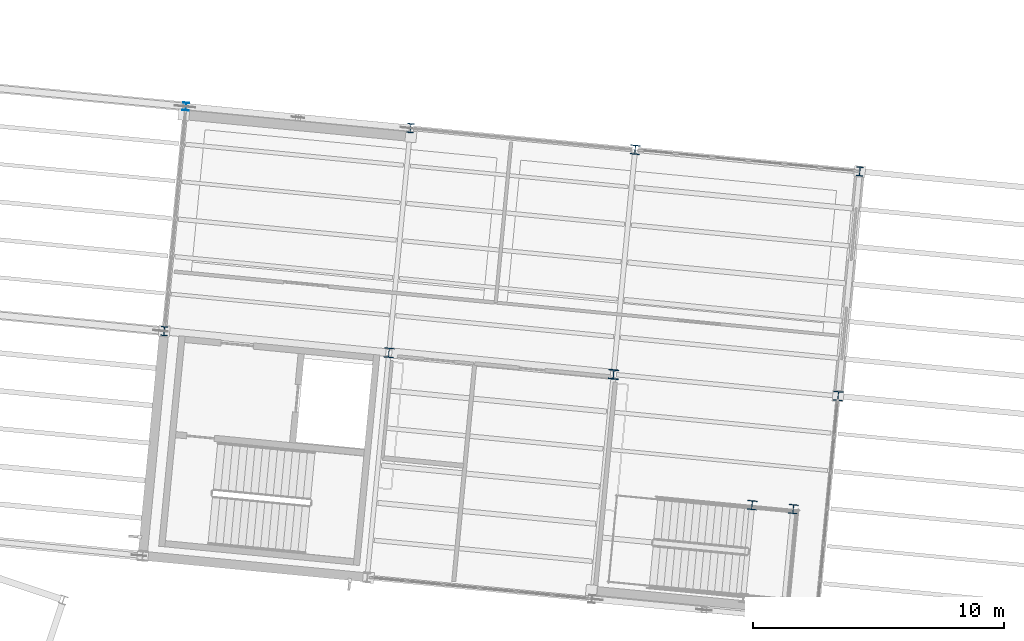
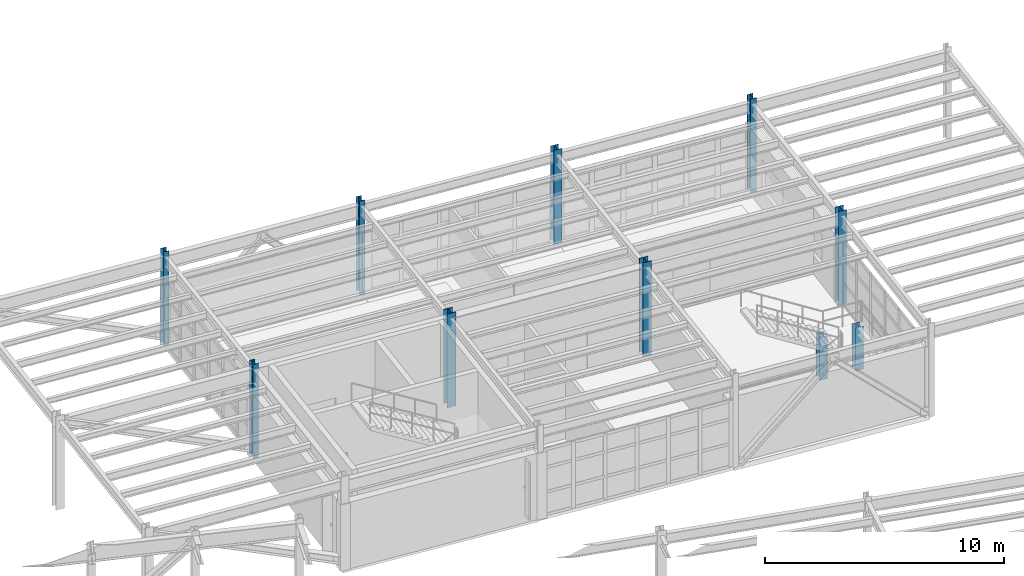
# One storey, part 14 of 109: 10 columns.
"""IFC4 building model written with IfcOpenShell, lengths in metres."""

from ifc_helpers import new_model, si_unit, direction, frame, origin, origin_2d, place, context, subcontext, project, spatial, i_section, extrude, material, material_profile, profile_set, type_object, element, save


model = new_model("IFC4")

# Units and contexts
model_context = context("Model", 3, precision=1e-05, world=origin(), true_north=direction((0.0, 1.0)))
body_context = subcontext(model_context, "Body", "Model", "MODEL_VIEW")
ifc_project = project(units=[si_unit("LENGTHUNIT", "METRE"), si_unit("AREAUNIT", "SQUARE_METRE"), si_unit("VOLUMEUNIT", "CUBIC_METRE"), si_unit("PLANEANGLEUNIT", "RADIAN"), si_unit("MASSUNIT", "GRAM", prefix="KILO")], contexts=[model_context])

# Site, building, storey
site_placement = place(None, origin())
site = spatial("IfcSite", under=ifc_project, at=site_placement, CompositionType="ELEMENT")
building_placement = place(site_placement, origin())
building = spatial("IfcBuilding", under=site, at=building_placement, Name="Vireo Bluff Cable Station", CompositionType="ELEMENT")
storey_placement = place(building_placement, frame((0.0, 0.0, 4.800048828125)))
storey = spatial("IfcBuildingStorey", under=building, at=storey_placement, Name="L01", CompositionType="ELEMENT", Elevation=4.800048828125)

# Columns
ifc_material = material(Name="Steel ASTM A992 Gr. 50", Category="steel")
ifc_material_profile_1 = material_profile(ifc_material, i_section(OverallWidth=0.39892578125, OverallDepth=0.385986328125, WebThickness=0.02099609375, FlangeThickness=0.033203125, FilletRadius=0.014892578125, at=origin_2d()), Name="W14X176")
ifc_profile_set_1 = profile_set([ifc_material_profile_1], Name="Steel ASTM A992 Gr. 50")
column_type_1 = type_object("IfcColumnType", Name="COL-W14X176", PredefinedType="COLUMN", material=ifc_profile_set_1)
column_1_placement = place(storey_placement, frame((86.517822265625, 74.2373046875, 0.0), z_axis=(0.0, 0.0, 1.0), x_axis=(0.995396198367, -0.09584575252, 0.0)))
element("IfcColumn", 1, at=column_1_placement, inside=storey, type_object=column_type_1, Name="V3 L01 column 223", PredefinedType="COLUMN", context=body_context, shape_type="SweptSolid", body=[
    extrude(i_section(OverallWidth=0.39892578125, OverallDepth=0.385986328125, WebThickness=0.02099609375, FlangeThickness=0.033203125, FilletRadius=0.014892578125, at=origin_2d()), origin(), (0.0, 0.0, 1.0), 4.800048828125),
])
ifc_material_profile_2 = material_profile(ifc_material, i_section(OverallWidth=0.40087890625, OverallDepth=0.39404296875, WebThickness=0.022705078125, FlangeThickness=0.03662109375, FilletRadius=0.014892578125, at=origin_2d()), Name="W14X193")
ifc_profile_set_2 = profile_set([ifc_material_profile_2], Name="Steel ASTM A992 Gr. 50")
column_type_2 = type_object("IfcColumnType", Name="COL-W14X193", PredefinedType="COLUMN", material=ifc_profile_set_2)
column_2_placement = place(storey_placement, frame((77.559326171875, 75.099853515625, 0.0), z_axis=(0.0, 0.0, 1.0), x_axis=(0.995396198367, -0.09584575252, 0.0)))
element("IfcColumn", 2, at=column_2_placement, inside=storey, type_object=column_type_2, Name="V3 L01 column 214", PredefinedType="COLUMN", context=body_context, shape_type="SweptSolid", body=[
    extrude(i_section(OverallWidth=0.40087890625, OverallDepth=0.39404296875, WebThickness=0.022705078125, FlangeThickness=0.03662109375, FilletRadius=0.014892578125, at=origin_2d()), origin(), (0.0, 0.0, 1.0), 4.800048828125),
])
ifc_material_profile_3 = material_profile(ifc_material, i_section(OverallWidth=0.367919921875, OverallDepth=0.35595703125, WebThickness=0.01123046875, FlangeThickness=0.01806640625, FilletRadius=0.014892578125, at=origin_2d()), Name="W14X90")
ifc_profile_set_3 = profile_set([ifc_material_profile_3], Name="Steel ASTM A992 Gr. 50")
column_type_3 = type_object("IfcColumnType", Name="COL-W14X90", PredefinedType="COLUMN", material=ifc_profile_set_3)
for number, where, z_axis, x_axis, name in (
    (3, (92.04345703125, 69.023681640625, 0.0), (0.0, 0.0, 1.0), (0.995396198367, -0.09584575252, 0.0), "ST-11 L01 landing support column 3"),
    (4, (93.68603515625, 68.865478515625, 0.0), (0.0, 0.0, 1.0), (0.995396198367, -0.09584575252, 0.0), "ST-11 L01 landing support column 4"),
):
    element("IfcColumn", number, at=place(storey_placement, frame(where, z_axis=z_axis, x_axis=x_axis)), inside=storey, type_object=column_type_3, Name=name, PredefinedType="COLUMN", context=body_context, shape_type="SweptSolid", body=[
        extrude(i_section(OverallWidth=0.367919921875, OverallDepth=0.35595703125, WebThickness=0.01123046875, FlangeThickness=0.01806640625, FilletRadius=0.014892578125, at=origin_2d()), origin(), (0.0, 0.0, 1.0), 2.199951171875),
    ])
ifc_material_profile_4 = material_profile(ifc_material, i_section(OverallWidth=0.257080078125, OverallDepth=0.363037109375, WebThickness=0.012939453125, FlangeThickness=0.021728515625, FilletRadius=0.014892578125, at=origin_2d()), Name="W14X82")
ifc_profile_set_4 = profile_set([ifc_material_profile_4], Name="Steel ASTM A992 Gr. 50")
column_type_4 = type_object("IfcColumnType", Name="ECOL-W14X82", PredefinedType="COLUMN", material=ifc_profile_set_4)
for number, where, z_axis, x_axis, name in (
    (5, (68.6005859375, 75.96240234375, 0.0), (0.0, 0.0, 1.0), (0.995396198367, -0.09584575252, 0.0), "V3 L01 column 205"),
    (6, (78.421875, 84.058349609375, 0.0), (0.0, 0.0, 1.0), (0.995396198367, -0.09584575252, 0.0), "V3 L01 column 217"),
    (7, (96.339111328125, 82.333251953125, 0.0), (0.0, 0.0, 1.0), (0.995396198367, -0.09584575252, 0.0), "V3 L01 column 235"),
):
    element("IfcColumn", number, at=place(storey_placement, frame(where, z_axis=z_axis, x_axis=x_axis)), inside=storey, type_object=column_type_4, Name=name, PredefinedType="COLUMN", context=body_context, shape_type="SweptSolid", body=[
        extrude(i_section(OverallWidth=0.257080078125, OverallDepth=0.363037109375, WebThickness=0.012939453125, FlangeThickness=0.021728515625, FilletRadius=0.014892578125, at=origin_2d()), origin(), (0.0, 0.0, 1.0), 4.800048828125),
    ])
ifc_material_profile_5 = material_profile(ifc_material, i_section(OverallWidth=0.3701171875, OverallDepth=0.360107421875, WebThickness=0.01220703125, FlangeThickness=0.019775390625, FilletRadius=0.014892578125, at=origin_2d()), Name="W14X99")
ifc_profile_set_5 = profile_set([ifc_material_profile_5], Name="Steel ASTM A992 Gr. 50")
column_type_5 = type_object("IfcColumnType", Name="ECOL-W14X99", PredefinedType="COLUMN", material=ifc_profile_set_5)
for number, where, z_axis, x_axis, name in (
    (8, (87.38037109375, 83.19580078125, 0.0), (0.0, 0.0, 1.0), (0.995396198367, -0.09584575252, 0.0), "V3 L01 column 226"),
    (9, (95.476318359375, 73.37451171875, 0.0), (0.0, 0.0, 1.0), (0.995396198367, -0.09584575252, 0.0), "V3 L01 column 232"),
):
    element("IfcColumn", number, at=place(storey_placement, frame(where, z_axis=z_axis, x_axis=x_axis)), inside=storey, type_object=column_type_5, Name=name, PredefinedType="COLUMN", context=body_context, shape_type="SweptSolid", body=[
        extrude(i_section(OverallWidth=0.3701171875, OverallDepth=0.360107421875, WebThickness=0.01220703125, FlangeThickness=0.019775390625, FilletRadius=0.014892578125, at=origin_2d()), origin(), (0.0, 0.0, 1.0), 4.800048828125),
    ])
ifc_material_profile_6 = material_profile(ifc_material, i_section(OverallWidth=0.25390625, OverallDepth=0.31005859375, WebThickness=0.009033203125, FlangeThickness=0.016357421875, FilletRadius=0.010986328125, at=origin_2d()), Name="W12X58")
ifc_profile_set_6 = profile_set([ifc_material_profile_6], Name="Steel ASTM A992 Gr. 50")
column_type_6 = type_object("IfcColumnType", Name="PIL-W12X58", PredefinedType="PILASTER", material=ifc_profile_set_6)
column_3_placement = place(storey_placement, frame((69.46337890625, 84.9208984375, 0.0), z_axis=(0.0, 0.0, 1.0), x_axis=(0.995396198367, -0.09584575252, 0.0)))
element("IfcColumn", 10, at=column_3_placement, inside=storey, type_object=column_type_6, Name="V3 L01 column 208", PredefinedType="PILASTER", context=body_context, shape_type="SweptSolid", body=[
    extrude(i_section(OverallWidth=0.25390625, OverallDepth=0.31005859375, WebThickness=0.009033203125, FlangeThickness=0.016357421875, FilletRadius=0.010986328125, at=origin_2d()), origin(), (0.0, 0.0, 1.0), 4.800048828125),
])

save(model, "model.ifc")
